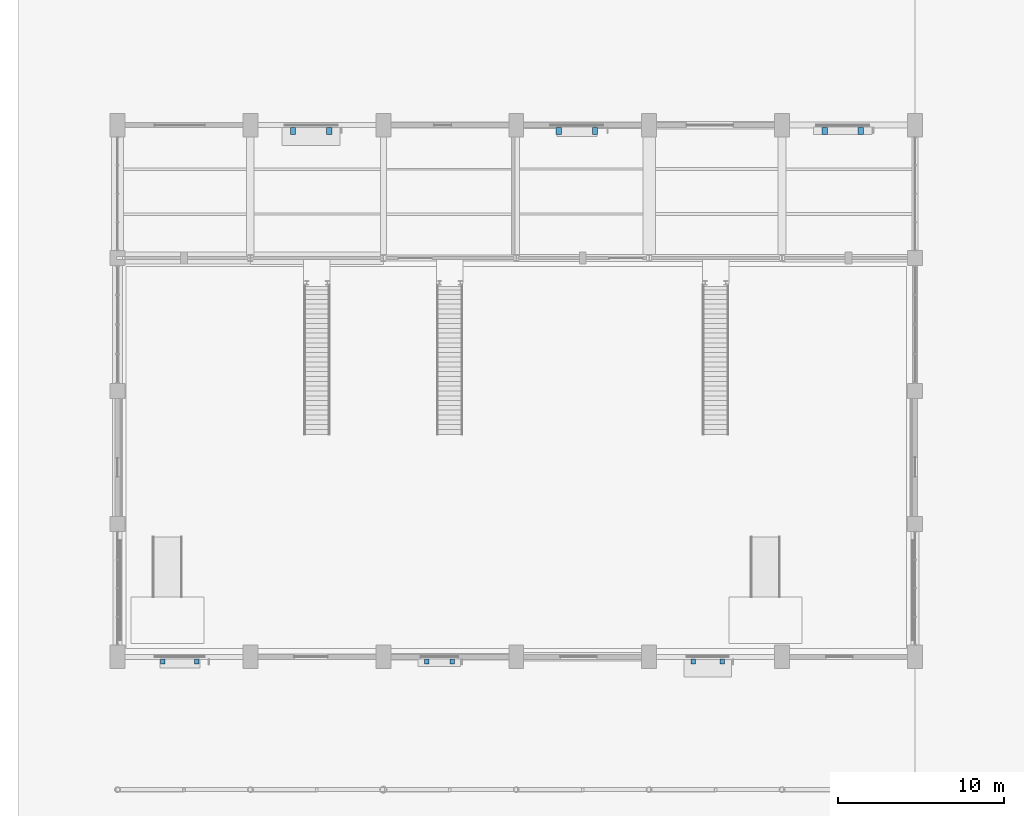
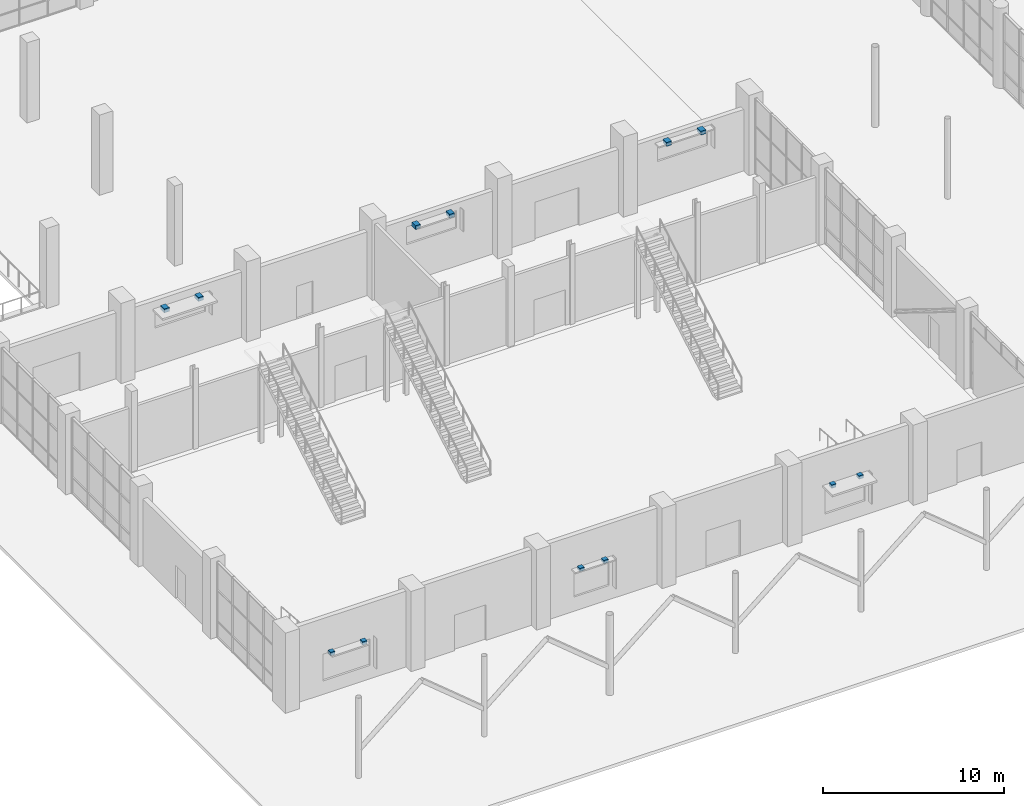
# One storey, part 108 of 123: 12 discrete accessories.
"""IFC4 building model written with IfcOpenShell, lengths in metres."""

from ifc_helpers import new_model, si_unit, direction, frame, origin, origin_2d, place, context, subcontext, project, spatial, rectangle, extrude, material, type_object, element, save


model = new_model("IFC4")

# Units and contexts
model_context = context("Model", 3, precision=1e-05, world=origin(), true_north=direction((0.0, 1.0)))
body_context = subcontext(model_context, "Body", "Model", "MODEL_VIEW")
ifc_project = project(units=[si_unit("LENGTHUNIT", "METRE"), si_unit("AREAUNIT", "SQUARE_METRE"), si_unit("VOLUMEUNIT", "CUBIC_METRE"), si_unit("PLANEANGLEUNIT", "RADIAN"), si_unit("MASSUNIT", "GRAM", prefix="KILO")], contexts=[model_context])

# Site, building, storey
site_placement = place(None, origin())
site = spatial("IfcSite", under=ifc_project, at=site_placement, CompositionType="ELEMENT")
building_placement = place(site_placement, origin())
building = spatial("IfcBuilding", under=site, at=building_placement, Name="Tenunan Teduh Sports Hall", CompositionType="ELEMENT")
storey_placement = place(building_placement, origin())
storey = spatial("IfcBuildingStorey", under=building, at=storey_placement, Name="L00", CompositionType="ELEMENT", Elevation=0.0)

# Discrete accessories
ifc_material_1 = material(Name="Steel S355", Category="steel")
discrete_accessory_type_1 = type_object("IfcDiscreteAccessoryType", Name="BRK-SHD-1", PredefinedType="BRACKET", material=ifc_material_1)
for number, where, z_axis, x_axis, name in (
    (1, (8.72998046875, 13.719970703125, 2.64990234375), (0.0, 0.0, 1.0), (1.0, 0.0, 0.0), "BRK-L00-004-1"),
    (2, (10.77001953125, 13.719970703125, 2.64990234375), (0.0, 0.0, 1.0), (1.0, 0.0, 0.0), "BRK-L00-004-2"),
    (3, (24.610107421875, 13.719970703125, 2.75), (0.0, 0.0, 1.0), (1.0, 0.0, 0.0), "BRK-L00-006-1"),
    (4, (26.139892578125, 13.719970703125, 2.75), (0.0, 0.0, 1.0), (1.0, 0.0, 0.0), "BRK-L00-006-2"),
    (5, (40.657958984375, 13.719970703125, 2.75), (0.0, 0.0, 1.0), (1.0, 0.0, 0.0), "BRK-L00-008-1"),
    (6, (42.39208984375, 13.719970703125, 2.75), (0.0, 0.0, 1.0), (1.0, 0.0, 0.0), "BRK-L00-008-2"),
):
    element("IfcDiscreteAccessory", number, at=place(storey_placement, frame(where, z_axis=z_axis, x_axis=x_axis)), inside=storey, type_object=discrete_accessory_type_1, Name=name, PredefinedType="BRACKET", context=body_context, shape_type="SweptSolid", body=[
        extrude(rectangle(XDim=0.280029296875, YDim=0.300048828125, at=origin_2d()), origin(), (0.0, 0.0, 1.0), 0.219970703125),
    ])
ifc_material_2 = material(Name="Steel S355", Category="steel")
discrete_accessory_type_2 = type_object("IfcDiscreteAccessoryType", Name="BRK-SHD-2", PredefinedType="BRACKET", material=ifc_material_2)
for number, where, z_axis, x_axis, name in (
    (7, (16.56201171875, 45.659912109375, 3.68017578125), (0.0, 0.0, 1.0), (1.0, 0.0, 0.0), "BRK-L00-005-1"),
    (8, (18.738037109375, 45.659912109375, 3.68017578125), (0.0, 0.0, 1.0), (1.0, 0.0, 0.0), "BRK-L00-005-2"),
    (9, (32.56201171875, 45.659912109375, 3.68017578125), (0.0, 0.0, 1.0), (1.0, 0.0, 0.0), "BRK-L00-007-1"),
    (10, (34.738037109375, 45.659912109375, 3.68017578125), (0.0, 0.0, 1.0), (1.0, 0.0, 0.0), "BRK-L00-007-2"),
    (11, (48.56201171875, 45.659912109375, 3.68017578125), (0.0, 0.0, 1.0), (1.0, 0.0, 0.0), "BRK-L00-009-1"),
    (12, (50.738037109375, 45.659912109375, 3.68017578125), (0.0, 0.0, 1.0), (1.0, 0.0, 0.0), "BRK-L00-009-2"),
):
    element("IfcDiscreteAccessory", number, at=place(storey_placement, frame(where, z_axis=z_axis, x_axis=x_axis)), inside=storey, type_object=discrete_accessory_type_2, Name=name, PredefinedType="BRACKET", context=body_context, shape_type="SweptSolid", body=[
        extrude(rectangle(XDim=0.320068359375, YDim=0.419921875, at=origin_2d()), origin(), (0.0, 0.0, 1.0), 0.260009765625),
    ])

save(model, "model.ifc")
